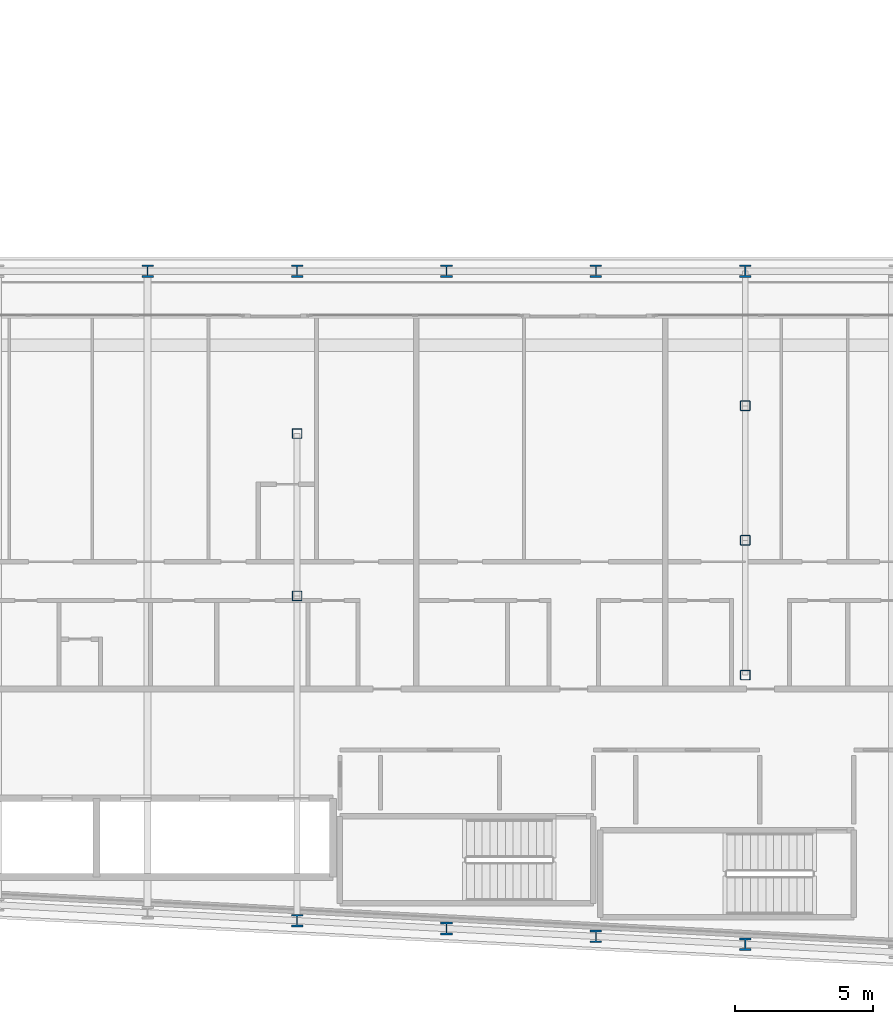
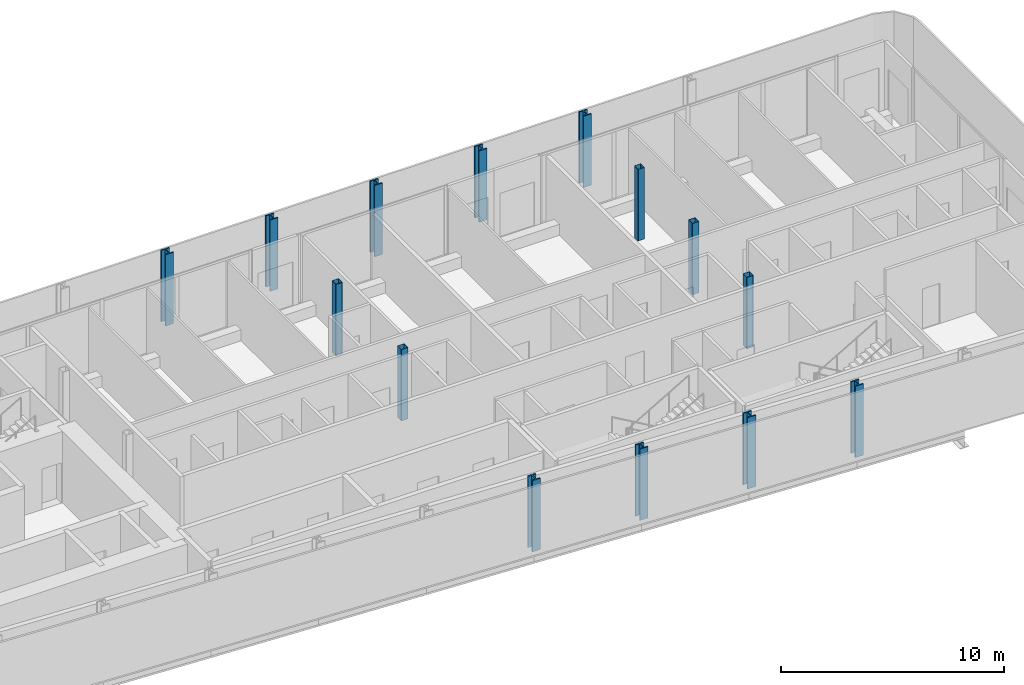
# One storey, part 2 of 28: 14 columns.
"""IFC4 building model written with IfcOpenShell, lengths in metres."""

from ifc_helpers import new_model, si_unit, direction, frame, origin, origin_2d, place, context, subcontext, project, spatial, hollow_rectangle, i_section, extrude, material, material_profile, profile_set, type_object, element, save


model = new_model("IFC4")

# Units and contexts
model_context = context("Model", 3, precision=1e-05, world=origin(), true_north=direction((0.0, 1.0)))
body_context = subcontext(model_context, "Body", "Model", "MODEL_VIEW")
ifc_project = project(units=[si_unit("LENGTHUNIT", "METRE"), si_unit("AREAUNIT", "SQUARE_METRE"), si_unit("VOLUMEUNIT", "CUBIC_METRE"), si_unit("PLANEANGLEUNIT", "RADIAN"), si_unit("MASSUNIT", "GRAM", prefix="KILO")], contexts=[model_context])

# Site, building, storey
site_placement = place(None, origin())
site = spatial("IfcSite", under=ifc_project, at=site_placement, CompositionType="ELEMENT")
building_placement = place(site_placement, origin())
building = spatial("IfcBuilding", under=site, at=building_placement, Name="Kheshtan School and Residences Tower", CompositionType="ELEMENT")
storey_placement = place(building_placement, frame((0.0, 0.0, 137.0)))
storey = spatial("IfcBuildingStorey", under=building, at=storey_placement, Name="L32", CompositionType="ELEMENT", Elevation=137.0)

# Columns
ifc_material_1 = material(Name="Steel ASTM A992 Grade 50", Category="steel")
ifc_material_profile_1 = material_profile(ifc_material_1, i_section(OverallWidth=0.41796875, OverallDepth=0.455078125, WebThickness=0.042236328125, FlangeThickness=0.067626953125, FilletRadius=0.013671875, at=origin_2d()), Name="W360x551")
ifc_profile_set_1 = profile_set([ifc_material_profile_1], Name="Steel ASTM A992 Grade 50")
column_type_1 = type_object("IfcColumnType", Name="Column C2 W360x551 ASTM A992 Grade 50", PredefinedType="COLUMN", material=ifc_profile_set_1)
for number, where, z_axis, x_axis, name in (
    (1, (85.39990234375, 21.27392578125, 0.0), (0.0, 0.0, 1.0), (1.0, 0.0, 0.0), "Column C008"),
    (2, (80.0, 21.55810546875, 0.0), (0.0, 0.0, 1.0), (1.0, 0.0, 0.0), "Column C012"),
    (3, (74.60009765625, 21.843017578125, 0.0), (0.0, 0.0, 1.0), (1.0, 0.0, 0.0), "Column C013"),
    (4, (69.199951171875, 22.126953125, 0.0), (0.0, 0.0, 1.0), (1.0, 0.0, 0.0), "Column C014"),
    (5, (63.800048828125, 45.60009765625, 0.0), (0.0, 0.0, 1.0), (1.0, 0.0, 0.0), "Column C063"),
    (6, (69.199951171875, 45.60009765625, 0.0), (0.0, 0.0, 1.0), (1.0, 0.0, 0.0), "Column C064"),
    (7, (74.60009765625, 45.60009765625, 0.0), (0.0, 0.0, 1.0), (1.0, 0.0, 0.0), "Column C065"),
    (8, (80.0, 45.60009765625, 0.0), (0.0, 0.0, 1.0), (1.0, 0.0, 0.0), "Column C066"),
    (9, (85.39990234375, 45.60009765625, 0.0), (0.0, 0.0, 1.0), (1.0, 0.0, 0.0), "Column C067"),
):
    element("IfcColumn", number, at=place(storey_placement, frame(where, z_axis=z_axis, x_axis=x_axis)), inside=storey, type_object=column_type_1, Name=name, PredefinedType="COLUMN", context=body_context, shape_type="SweptSolid", body=[
        extrude(i_section(OverallWidth=0.41796875, OverallDepth=0.455078125, WebThickness=0.042236328125, FlangeThickness=0.067626953125, FilletRadius=0.013671875, at=origin_2d()), origin(), (0.0, 0.0, 1.0), 3.89990234375),
    ])
ifc_material_2 = material(Name="Steel ASTM A500 Grade C", Category="steel")
ifc_material_profile_2 = material_profile(ifc_material_2, hollow_rectangle(XDim=0.35595703125, YDim=0.35595703125, WallThickness=0.015869140625, InnerFilletRadius=0.015869140625, OuterFilletRadius=0.03173828125, at=origin_2d()), Name="HSS 356x356x15.9")
ifc_profile_set_2 = profile_set([ifc_material_profile_2], Name="Steel ASTM A500 Grade C")
column_type_2 = type_object("IfcColumnType", Name="Column IC1 HSS 356x356x15.9 ASTM A500 Grade C", PredefinedType="COLUMN", material=ifc_profile_set_2)
for number, where, z_axis, x_axis, name in (
    (10, (85.39990234375, 31.0048828125, 0.0), (0.0, 0.0, 1.0), (1.0, 0.0, 0.0), "Column C049"),
    (11, (69.199951171875, 33.863037109375, 0.0), (0.0, 0.0, 1.0), (1.0, 0.0, 0.0), "Column C050"),
    (12, (85.39990234375, 35.8701171875, 0.0), (0.0, 0.0, 1.0), (1.0, 0.0, 0.0), "Column C053"),
    (13, (69.199951171875, 39.73193359375, 0.0), (0.0, 0.0, 1.0), (1.0, 0.0, 0.0), "Column C054"),
    (14, (85.39990234375, 40.735107421875, 0.0), (0.0, 0.0, 1.0), (1.0, 0.0, 0.0), "Column C057"),
):
    element("IfcColumn", number, at=place(storey_placement, frame(where, z_axis=z_axis, x_axis=x_axis)), inside=storey, type_object=column_type_2, Name=name, PredefinedType="COLUMN", context=body_context, shape_type="SweptSolid", body=[
        extrude(hollow_rectangle(XDim=0.35595703125, YDim=0.35595703125, WallThickness=0.015869140625, InnerFilletRadius=0.015869140625, OuterFilletRadius=0.03173828125, at=origin_2d()), origin(), (0.0, 0.0, 1.0), 3.89990234375),
    ])

save(model, "model.ifc")
